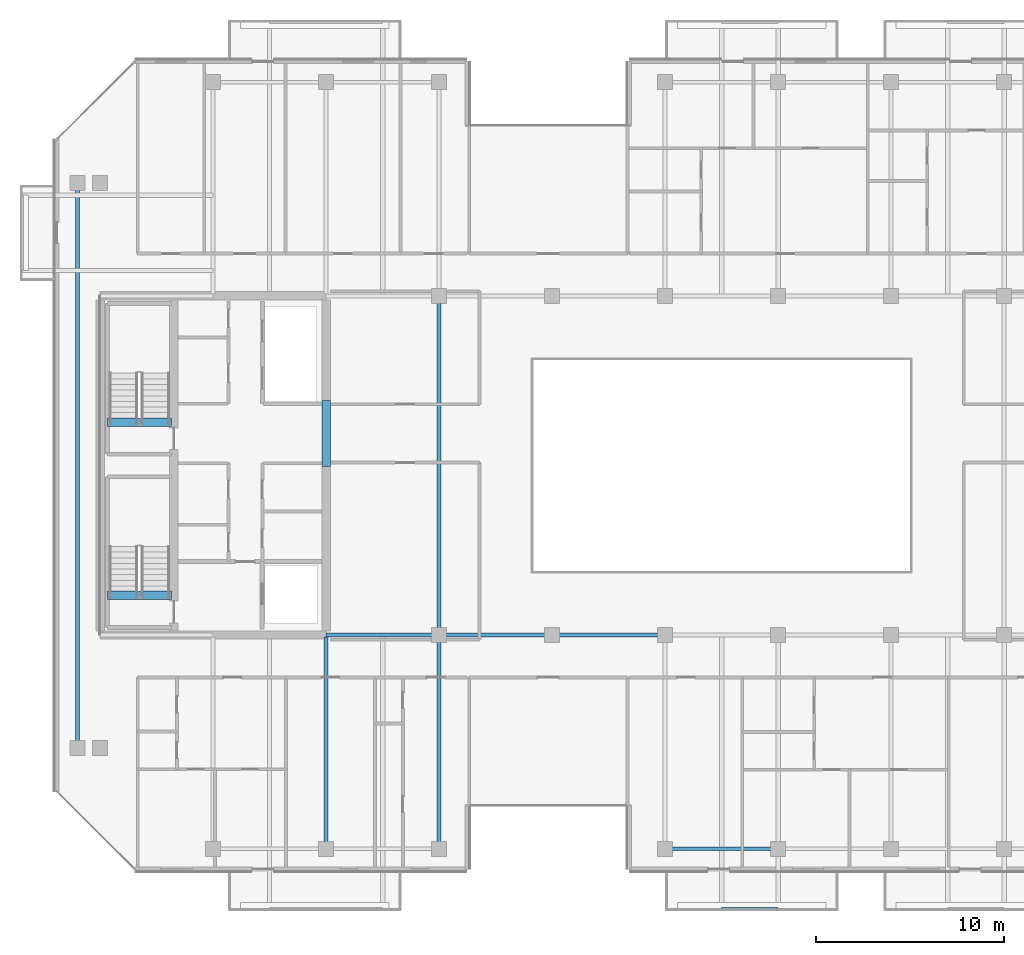
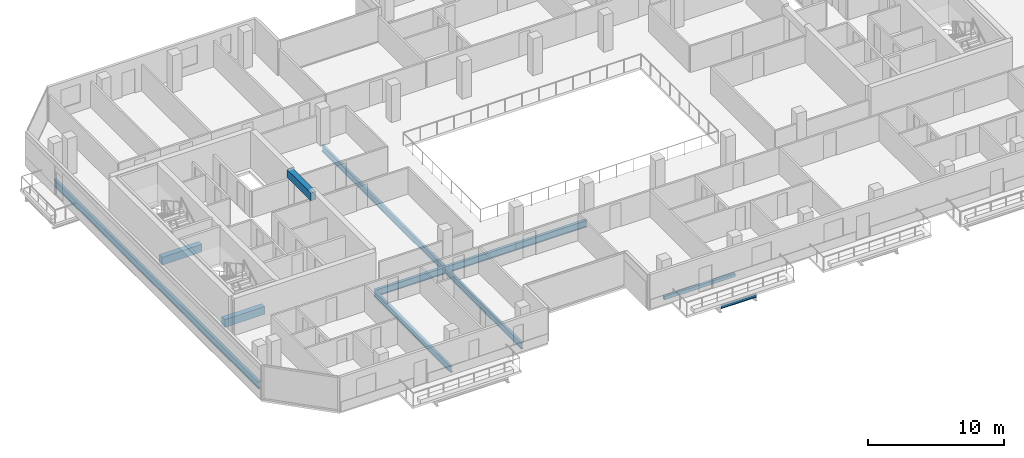
# One storey, part 5 of 29: 12 beams.
"""IFC4 building model written with IfcOpenShell, lengths in metres."""

from ifc_helpers import new_model, si_unit, direction, frame, origin, origin_2d, place, context, subcontext, project, spatial, rectangle, hollow_rectangle, i_section, extrude, material, material_profile, profile_set, type_object, element, save


model = new_model("IFC4")

# Units and contexts
model_context = context("Model", 3, precision=1e-05, world=origin(), true_north=direction((0.0, 1.0)))
body_context = subcontext(model_context, "Body", "Model", "MODEL_VIEW")
ifc_project = project(units=[si_unit("LENGTHUNIT", "METRE"), si_unit("AREAUNIT", "SQUARE_METRE"), si_unit("VOLUMEUNIT", "CUBIC_METRE"), si_unit("PLANEANGLEUNIT", "RADIAN"), si_unit("MASSUNIT", "GRAM", prefix="KILO")], contexts=[model_context])

# Site, building, storey
site_placement = place(None, origin())
site = spatial("IfcSite", under=ifc_project, at=site_placement, CompositionType="ELEMENT")
building_placement = place(site_placement, origin())
building = spatial("IfcBuilding", under=site, at=building_placement, Name="Tanjung Sevakor Pilgrim Tower", CompositionType="ELEMENT")
storey_placement = place(building_placement, frame((0.0, 0.0, 181.830078125)))
storey = spatial("IfcBuildingStorey", under=building, at=storey_placement, Name="L50", CompositionType="ELEMENT", Elevation=181.830078125)

# Beams
ifc_material_1 = material(Name="Steel S355J2", Category="steel")
ifc_material_profile_1 = material_profile(ifc_material_1, i_section(OverallWidth=0.22900390625, OverallDepth=0.6123046875, WebThickness=0.011962890625, FlangeThickness=0.01953125, FilletRadius=0.0126953125, at=origin_2d()))
ifc_profile_set_1 = profile_set([ifc_material_profile_1], Name="Steel S355J2")
beam_type_1 = type_object("IfcBeamType", Name="BM-B-G4-UB_610x229x125", PredefinedType="BEAM", material=ifc_profile_set_1)
beam_1_placement = place(storey_placement, frame((22.800048828125, 18.60009765625, -0.526123046875), z_axis=(0.0, 1.0, 0.0), x_axis=(-1.0, 0.0, 0.0)))
element("IfcBeam", 1, at=beam_1_placement, inside=storey, type_object=beam_type_1, Name="L50 Short-End Edge Girder W", PredefinedType="BEAM", context=body_context, shape_type="SweptSolid", body=[
    extrude(i_section(OverallWidth=0.22900390625, OverallDepth=0.6123046875, WebThickness=0.011962890625, FlangeThickness=0.01953125, FilletRadius=0.0126953125, at=origin_2d()), origin(), (0.0, 0.0, 1.0), 30.0),
])
for number, where, z_axis, x_axis, name in (
    (2, (36.0, 24.60009765625, -0.526123046875), (1.0, 0.0, 0.0), (0.0, 1.0, 0.0), "L50 Primary Floor Girder MAIN Y246-02"),
    (3, (42.0, 24.60009765625, -0.526123046875), (1.0, 0.0, 0.0), (0.0, 1.0, 0.0), "L50 Primary Floor Girder MAIN Y246-03"),
    (4, (48.0, 24.60009765625, -0.526123046875), (1.0, 0.0, 0.0), (0.0, 1.0, 0.0), "L50 Primary Floor Girder MAIN Y246-04"),
):
    element("IfcBeam", number, at=place(storey_placement, frame(where, z_axis=z_axis, x_axis=x_axis)), inside=storey, type_object=beam_type_1, Name=name, PredefinedType="BEAM", context=body_context, shape_type="SweptSolid", body=[
        extrude(i_section(OverallWidth=0.22900390625, OverallDepth=0.6123046875, WebThickness=0.011962890625, FlangeThickness=0.01953125, FilletRadius=0.0126953125, at=origin_2d()), origin(), (0.0, 0.0, 1.0), 6.0),
    ])
ifc_material_2 = material(Name="Steel S355J2", Category="steel")
ifc_material_profile_2 = material_profile(ifc_material_2, i_section(OverallWidth=0.2119140625, OverallDepth=0.54443359375, WebThickness=0.0126953125, FlangeThickness=0.021240234375, FilletRadius=0.0126953125, at=origin_2d()))
ifc_profile_set_2 = profile_set([ifc_material_profile_2], Name="Steel S355J2")
beam_type_2 = type_object("IfcBeamType", Name="BM-B-G5-UB_533x210x122", PredefinedType="BEAM", material=ifc_profile_set_2)
beam_2_placement = place(storey_placement, frame((36.0, 13.25, -0.492431640625), z_axis=(0.0, 1.0, 0.0), x_axis=(-1.0, 0.0, 0.0)))
element("IfcBeam", 5, at=beam_2_placement, inside=storey, type_object=beam_type_2, Name="L50 MAIN Girder 003", PredefinedType="BEAM", context=body_context, shape_type="SweptSolid", body=[
    extrude(i_section(OverallWidth=0.2119140625, OverallDepth=0.54443359375, WebThickness=0.0126953125, FlangeThickness=0.021240234375, FilletRadius=0.0126953125, at=origin_2d()), origin(), (0.0, 0.0, 1.0), 11.235595703125),
])
beam_3_placement = place(storey_placement, frame((42.0, 13.25, -0.492431640625), z_axis=(0.0, 1.0, 0.0), x_axis=(-1.0, 0.0, 0.0)))
element("IfcBeam", 6, at=beam_3_placement, inside=storey, type_object=beam_type_2, Name="L50 MAIN Girder 005", PredefinedType="BEAM", context=body_context, shape_type="SweptSolid", body=[
    extrude(i_section(OverallWidth=0.2119140625, OverallDepth=0.54443359375, WebThickness=0.0126953125, FlangeThickness=0.021240234375, FilletRadius=0.0126953125, at=origin_2d()), origin(), (0.0, 0.0, 1.0), 11.35009765625),
])
beam_4_placement = place(storey_placement, frame((42.0, 24.60009765625, -0.492431640625), z_axis=(0.0, 1.0, 0.0), x_axis=(-1.0, 0.0, 0.0)))
element("IfcBeam", 7, at=beam_4_placement, inside=storey, type_object=beam_type_2, Name="L50 MAIN Girder 006", PredefinedType="BEAM", context=body_context, shape_type="SweptSolid", body=[
    extrude(i_section(OverallWidth=0.2119140625, OverallDepth=0.54443359375, WebThickness=0.0126953125, FlangeThickness=0.021240234375, FilletRadius=0.0126953125, at=origin_2d()), origin(), (0.0, 0.0, 1.0), 18.0),
])
ifc_material_3 = material(Name="Steel S355J2", Category="steel")
ifc_material_profile_3 = material_profile(ifc_material_3, i_section(OverallWidth=0.146484375, OverallDepth=0.256103515625, WebThickness=0.00634765625, FlangeThickness=0.010986328125, FilletRadius=0.007568359375, at=origin_2d()))
ifc_profile_set_3 = profile_set([ifc_material_profile_3], Name="Steel S355J2")
beam_type_3 = type_object("IfcBeamType", Name="BM-B-J6-UB_254x146x37", PredefinedType="JOIST", material=ifc_profile_set_3)
beam_5_placement = place(storey_placement, frame((57.0, 10.070068359375, -0.328125), z_axis=(1.0, 0.0, 0.0), x_axis=(0.0, 1.0, 0.0)))
element("IfcBeam", 8, at=beam_5_placement, inside=storey, type_object=beam_type_3, Name="L50 Balcony Rim Tie MAIN-S2", PredefinedType="JOIST", context=body_context, shape_type="SweptSolid", body=[
    extrude(i_section(OverallWidth=0.146484375, OverallDepth=0.256103515625, WebThickness=0.00634765625, FlangeThickness=0.010986328125, FilletRadius=0.007568359375, at=origin_2d()), origin(), (0.0, 0.0, 1.0), 3.0),
])
ifc_material_4 = material(Name="Concrete C60/75", Category="concrete")
ifc_material_profile_4 = material_profile(ifc_material_4, rectangle(XDim=0.449951171875, YDim=0.699951171875, at=origin_2d()))
ifc_profile_set_4 = profile_set([ifc_material_profile_4], Name="Concrete C60/75")
beam_type_4 = type_object("IfcBeamType", Name="BM-B-LN3-RC-BM_450x700", PredefinedType="LINTEL", material=ifc_profile_set_4)
beam_6_placement = place(storey_placement, frame((36.0, 33.550048828125, 2.72998046875), z_axis=(0.0, 1.0, 0.0), x_axis=(-1.0, 0.0, 0.0)))
element("IfcBeam", 9, at=beam_6_placement, inside=storey, type_object=beam_type_4, Name="L50 W Core Coupling Lintel", PredefinedType="LINTEL", context=body_context, shape_type="SweptSolid", body=[
    extrude(rectangle(XDim=0.449951171875, YDim=0.699951171875, at=origin_2d()), origin(), (0.0, 0.0, 1.0), 3.5),
])
for number, where, z_axis, x_axis, name in (
    (10, (24.39990234375, 26.699951171875, -0.35009765625), (1.0, 0.0, 0.0), (0.0, 1.0, 0.0), "L50 TS-W1 Stair Threshold Beam"),
    (11, (24.39990234375, 35.89990234375, -0.35009765625), (1.0, 0.0, 0.0), (0.0, 1.0, 0.0), "L50 TS-W2 Stair Threshold Beam"),
):
    element("IfcBeam", number, at=place(storey_placement, frame(where, z_axis=z_axis, x_axis=x_axis)), inside=storey, type_object=beam_type_4, Name=name, PredefinedType="LINTEL", context=body_context, shape_type="SweptSolid", body=[
        extrude(rectangle(XDim=0.449951171875, YDim=0.699951171875, at=origin_2d()), origin(), (0.0, 0.0, 1.0), 3.400146484375),
    ])
ifc_material_5 = material(Name="Steel S355J2", Category="steel")
ifc_material_profile_5 = material_profile(ifc_material_5, hollow_rectangle(XDim=0.199951171875, YDim=0.300048828125, WallThickness=0.012451171875, at=origin_2d()))
ifc_profile_set_5 = profile_set([ifc_material_profile_5], Name="Steel S355J2")
beam_type_5 = type_object("IfcBeamType", Name="BM-B-SP3-RHS_300x200x12.5", PredefinedType="SPANDREL", material=ifc_profile_set_5)
beam_7_placement = place(storey_placement, frame((54.0, 13.25, -0.3701171875), z_axis=(1.0, 0.0, 0.0), x_axis=(0.0, 1.0, 0.0)))
element("IfcBeam", 12, at=beam_7_placement, inside=storey, type_object=beam_type_5, Name="L50 Spandrel MAIN S-05", PredefinedType="SPANDREL", context=body_context, shape_type="SweptSolid", body=[
    extrude(hollow_rectangle(XDim=0.199951171875, YDim=0.300048828125, WallThickness=0.012451171875, at=origin_2d()), origin(), (0.0, 0.0, 1.0), 6.0),
])

save(model, "model.ifc")
